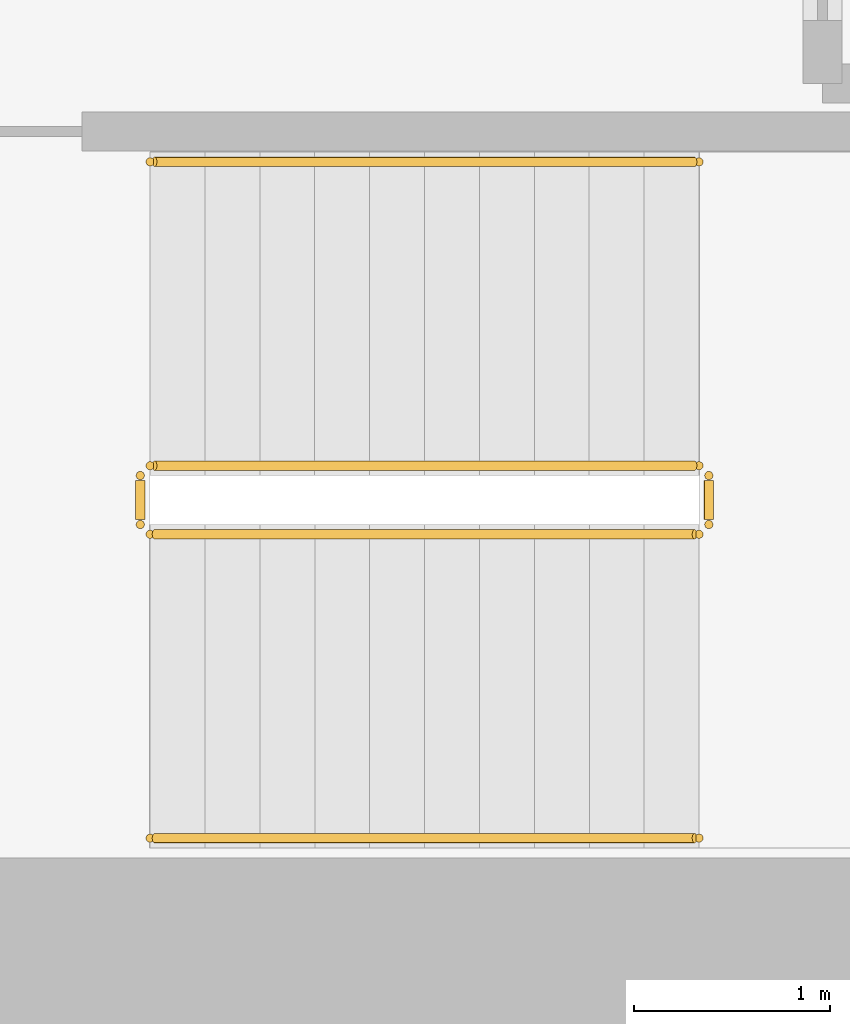
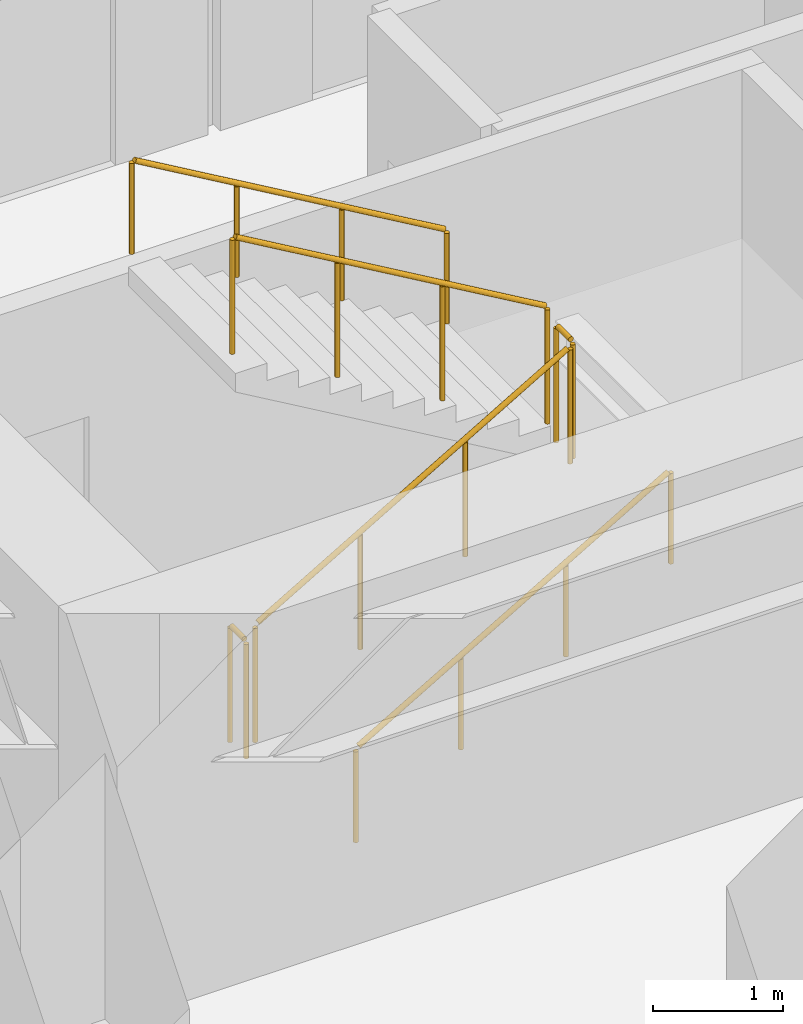
# One storey, part 14 of 14: 6 railings.
"""IFC4 building model written with IfcOpenShell, lengths in metres."""

from ifc_helpers import new_model, si_unit, direction, frame, origin, origin_2d, place, context, subcontext, project, spatial, circle, extrude, source, transform, mapped, material, layer, layer_set, type_object, element, save


model = new_model("IFC4")

# Units and contexts
model_context = context("Model", 3, precision=1e-05, world=origin(), true_north=direction((0.0, 1.0)))
body_context = subcontext(model_context, "Body", "Model", "MODEL_VIEW")
ifc_project = project(units=[si_unit("LENGTHUNIT", "METRE"), si_unit("AREAUNIT", "SQUARE_METRE"), si_unit("VOLUMEUNIT", "CUBIC_METRE"), si_unit("PLANEANGLEUNIT", "RADIAN"), si_unit("MASSUNIT", "GRAM", prefix="KILO")], contexts=[model_context])

# Site, building, storey
site_placement = place(None, origin())
site = spatial("IfcSite", under=ifc_project, at=site_placement, CompositionType="ELEMENT")
building_placement = place(site_placement, origin())
building = spatial("IfcBuilding", under=site, at=building_placement, Name="Kharzan Plaza Tower", CompositionType="ELEMENT")
storey_placement = place(building_placement, frame((0.0, 0.0, 58.5)))
storey = spatial("IfcBuildingStorey", under=building, at=storey_placement, Name="L15", CompositionType="ELEMENT", Elevation=58.5)

# Railings
ifc_material_1 = material(Name="Painted Galvanized Architectural Steel", Category="steel")
ifc_layer_1 = layer(ifc_material_1, 0.074951171875)
ifc_layer_set_1 = layer_set([ifc_layer_1], Name="Painted Galvanized Architectural Steel")
railing_type_1 = type_object("IfcRailingType", Name="RL-GUARD-1120", PredefinedType="BALUSTRADE", material=ifc_layer_set_1)
shared_shape_1 = source(origin(), body_context, "Body", "SweptSolid", [
    extrude(circle(Radius=0.02392578125, at=origin_2d()), frame((0.0, 0.0263671875, 1.09619140625), z_axis=(0.0, 1.0, 0.0), x_axis=(-1.0, 0.0, 0.0)), (0.0, 0.0, 1.0), 0.197021484375),
    extrude(circle(Radius=0.02099609375, at=origin_2d()), origin(), (0.0, 0.0, 1.0), 1.072021484375),
    extrude(circle(Radius=0.02099609375, at=origin_2d()), frame((0.0, 0.25, 0.0)), (0.0, 0.0, 1.0), 1.072021484375),
])
for number, where, name in (
    (1, (41.10009765625, 6.64990234375, 1.800048828125), "L15 ST-3 stair guard 2"),
    (2, (38.199951171875, 6.64990234375, 0.0), "L15 ST-3 stair guard 4"),
):
    element("IfcRailing", number, at=place(storey_placement, frame(where)), inside=storey, type_object=railing_type_1, Name=name, PredefinedType="BALUSTRADE", context=body_context, shape_type="MappedRepresentation", body=[
        mapped(shared_shape_1, transform((0.0, 0.0, 0.0), x_axis=(1.0, 0.0, 0.0), y_axis=(0.0, 1.0, 0.0), z_axis=(0.0, 0.0, 1.0))),
    ])
shared_shape_2 = source(origin(), body_context, "Body", "SweptSolid", [
    extrude(circle(Radius=0.02392578125, at=origin_2d()), frame((0.02294921875, 0.0, 1.109375), z_axis=(0.863360870873, 0.0, 0.504586966384), x_axis=(0.0, 1.0, 0.0)), (0.0, 0.0, 1.0), 3.190185546875),
    extrude(circle(Radius=0.02099609375, at=origin_2d()), origin(), (0.0, 0.0, 1.0), 1.072021484375),
    extrude(circle(Radius=0.02099609375, at=origin_2d()), frame((0.933349609375, 0.0, 0.54541015625)), (0.0, 0.0, 1.0), 1.072021484375),
    extrude(circle(Radius=0.02099609375, at=origin_2d()), frame((1.86669921875, 0.0, 1.091064453125)), (0.0, 0.0, 1.0), 1.072021484375),
    extrude(circle(Radius=0.02099609375, at=origin_2d()), frame((2.800048828125, 0.0, 1.636474609375)), (0.0, 0.0, 1.0), 1.072021484375),
])
railing_1_placement = place(storey_placement, frame((38.25, 6.60009765625, 0.16357421875)))
element("IfcRailing", 3, at=railing_1_placement, inside=storey, type_object=railing_type_1, Name="L15 ST-3 stair guard 1", PredefinedType="BALUSTRADE", context=body_context, shape_type="MappedRepresentation", body=[
    mapped(shared_shape_2, transform((0.0, 0.0, 0.0), x_axis=(1.0, 0.0, 0.0), y_axis=(0.0, 1.0, 0.0), z_axis=(0.0, 0.0, 1.0))),
])
shared_shape_3 = source(origin(), body_context, "Body", "SweptSolid", [
    extrude(circle(Radius=0.02392578125, at=origin_2d()), frame((-0.02294921875, 0.0, 1.109375), z_axis=(-0.863360870873, 0.0, 0.504586966384), x_axis=(0.0, -1.0, 0.0)), (0.0, 0.0, 1.0), 3.190185546875),
    extrude(circle(Radius=0.02099609375, at=origin_2d()), origin(), (0.0, 0.0, 1.0), 1.072021484375),
    extrude(circle(Radius=0.02099609375, at=origin_2d()), frame((-0.933349609375, 0.0, 0.54541015625)), (0.0, 0.0, 1.0), 1.072021484375),
    extrude(circle(Radius=0.02099609375, at=origin_2d()), frame((-1.86669921875, 0.0, 1.091064453125)), (0.0, 0.0, 1.0), 1.072021484375),
    extrude(circle(Radius=0.02099609375, at=origin_2d()), frame((-2.800048828125, 0.0, 1.636474609375)), (0.0, 0.0, 1.0), 1.072021484375),
])
railing_2_placement = place(storey_placement, frame((41.050048828125, 6.949951171875, 1.963623046875)))
element("IfcRailing", 4, at=railing_2_placement, inside=storey, type_object=railing_type_1, Name="L15 ST-3 stair guard 3", PredefinedType="BALUSTRADE", context=body_context, shape_type="MappedRepresentation", body=[
    mapped(shared_shape_3, transform((0.0, 0.0, 0.0), x_axis=(1.0, 0.0, 0.0), y_axis=(0.0, 1.0, 0.0), z_axis=(0.0, 0.0, 1.0))),
])
ifc_material_2 = material(Name="Brushed Stainless Steel", Category="steel")
ifc_layer_2 = layer(ifc_material_2, 0.050048828125)
ifc_layer_set_2 = layer_set([ifc_layer_2], Name="Brushed Stainless Steel")
railing_type_2 = type_object("IfcRailingType", Name="RL-STAIR-HR920", PredefinedType="HANDRAIL", material=ifc_layer_set_2)
shared_shape_4 = source(origin(), body_context, "Body", "SweptSolid", [
    extrude(circle(Radius=0.02392578125, at=origin_2d()), frame((0.02294921875, 0.0, 0.88916015625), z_axis=(0.863360870873, 0.0, 0.504586966384), x_axis=(0.0, 1.0, 0.0)), (0.0, 0.0, 1.0), 3.190185546875),
    extrude(circle(Radius=0.02099609375, at=origin_2d()), origin(), (0.0, 0.0, 1.0), 0.851806640625),
    extrude(circle(Radius=0.02099609375, at=origin_2d()), frame((0.933349609375, 0.0, 0.54541015625)), (0.0, 0.0, 1.0), 0.851806640625),
    extrude(circle(Radius=0.02099609375, at=origin_2d()), frame((1.86669921875, 0.0, 1.091064453125)), (0.0, 0.0, 1.0), 0.851806640625),
    extrude(circle(Radius=0.02099609375, at=origin_2d()), frame((2.800048828125, 0.0, 1.636474609375)), (0.0, 0.0, 1.0), 0.851806640625),
])
railing_3_placement = place(storey_placement, frame((38.25, 5.050048828125, 0.16357421875)))
element("IfcRailing", 5, at=railing_3_placement, inside=storey, type_object=railing_type_2, Name="L15 ST-3 stair handrail 1", PredefinedType="HANDRAIL", context=body_context, shape_type="MappedRepresentation", body=[
    mapped(shared_shape_4, transform((0.0, 0.0, 0.0), x_axis=(1.0, 0.0, 0.0), y_axis=(0.0, 1.0, 0.0), z_axis=(0.0, 0.0, 1.0))),
])
shared_shape_5 = source(origin(), body_context, "Body", "SweptSolid", [
    extrude(circle(Radius=0.02392578125, at=origin_2d()), frame((-0.02294921875, 0.0, 0.88916015625), z_axis=(-0.863360870873, 0.0, 0.504586966384), x_axis=(0.0, -1.0, 0.0)), (0.0, 0.0, 1.0), 3.190185546875),
    extrude(circle(Radius=0.02099609375, at=origin_2d()), origin(), (0.0, 0.0, 1.0), 0.851806640625),
    extrude(circle(Radius=0.02099609375, at=origin_2d()), frame((-0.933349609375, 0.0, 0.54541015625)), (0.0, 0.0, 1.0), 0.851806640625),
    extrude(circle(Radius=0.02099609375, at=origin_2d()), frame((-1.86669921875, 0.0, 1.091064453125)), (0.0, 0.0, 1.0), 0.851806640625),
    extrude(circle(Radius=0.02099609375, at=origin_2d()), frame((-2.800048828125, 0.0, 1.636474609375)), (0.0, 0.0, 1.0), 0.851806640625),
])
railing_4_placement = place(storey_placement, frame((41.050048828125, 8.5, 1.963623046875)))
element("IfcRailing", 6, at=railing_4_placement, inside=storey, type_object=railing_type_2, Name="L15 ST-3 stair handrail 2", PredefinedType="HANDRAIL", context=body_context, shape_type="MappedRepresentation", body=[
    mapped(shared_shape_5, transform((0.0, 0.0, 0.0), x_axis=(1.0, 0.0, 0.0), y_axis=(0.0, 1.0, 0.0), z_axis=(0.0, 0.0, 1.0))),
])

save(model, "model.ifc")
